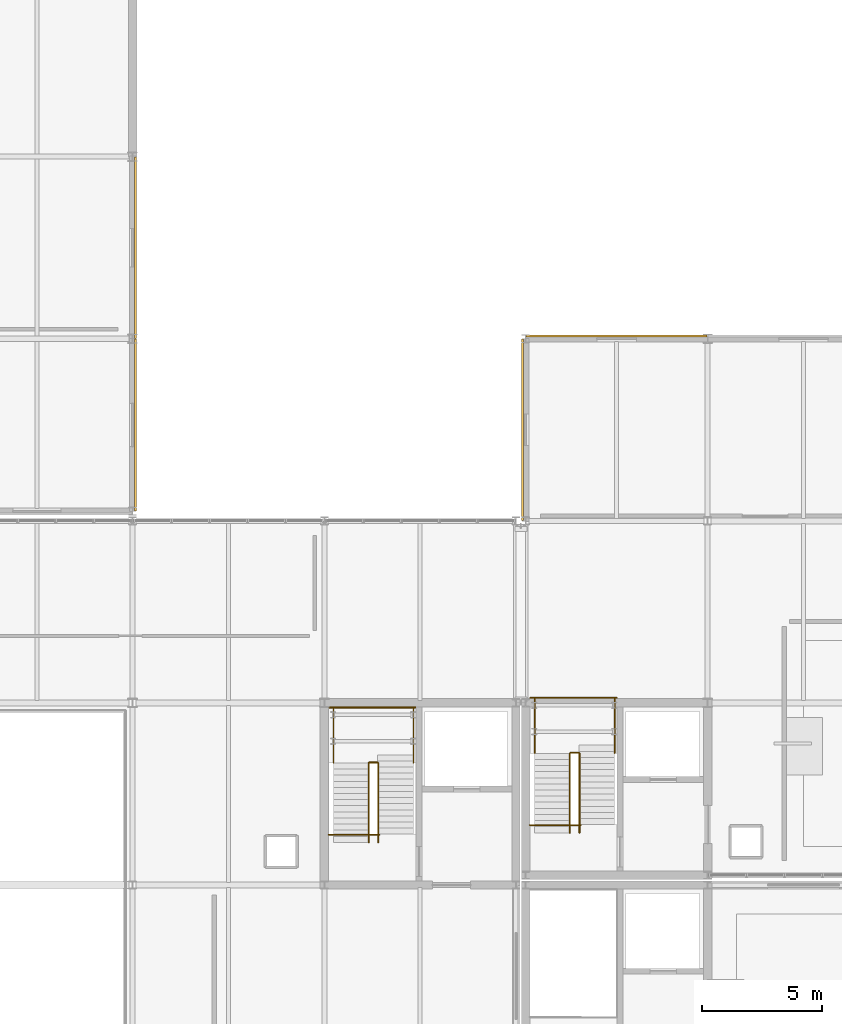
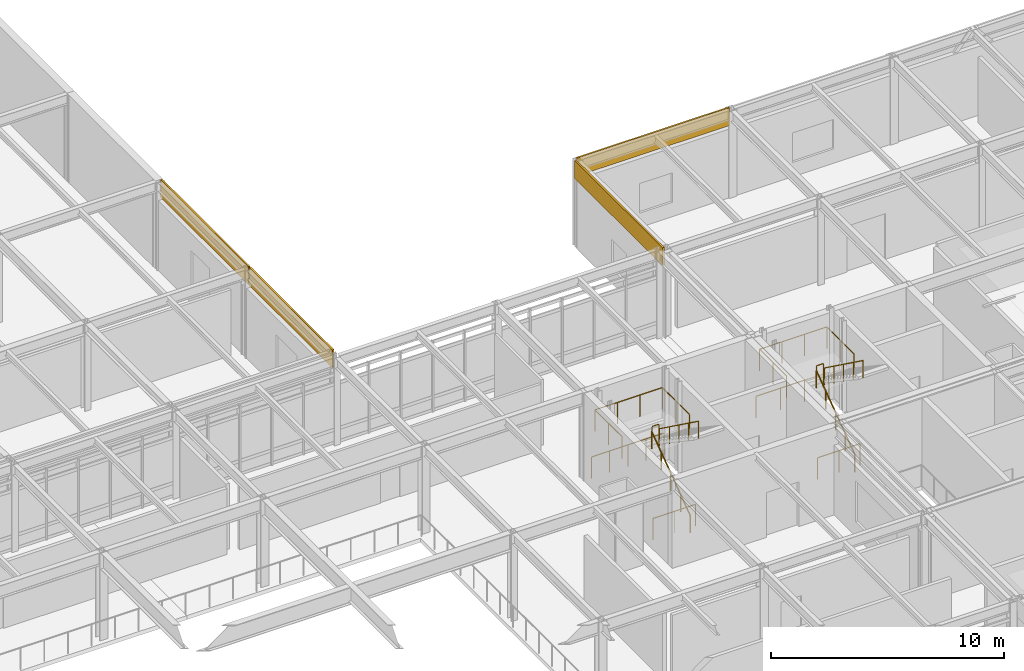
# One storey, part 101 of 104: 12 railings, 4 coverings.
"""IFC4 building model written with IfcOpenShell, lengths in metres."""

from ifc_helpers import new_model, si_unit, direction, frame, origin, origin_2d, place, context, subcontext, project, spatial, rectangle, circle, extrude, material, layer, layer_set, type_object, element, save


model = new_model("IFC4")

# Units and contexts
model_context = context("Model", 3, precision=1e-05, world=origin(), true_north=direction((0.0, 1.0)))
body_context = subcontext(model_context, "Body", "Model", "MODEL_VIEW")
ifc_project = project(units=[si_unit("LENGTHUNIT", "METRE"), si_unit("AREAUNIT", "SQUARE_METRE"), si_unit("VOLUMEUNIT", "CUBIC_METRE"), si_unit("PLANEANGLEUNIT", "RADIAN"), si_unit("MASSUNIT", "GRAM", prefix="KILO")], contexts=[model_context])

# Site, building, storey
site_placement = place(None, origin())
site = spatial("IfcSite", under=ifc_project, at=site_placement, CompositionType="ELEMENT")
building_placement = place(site_placement, origin())
building = spatial("IfcBuilding", under=site, at=building_placement, Name="Zulena Civic Courthouse", CompositionType="ELEMENT")
storey_placement = place(building_placement, frame((0.0, 0.0, 15.60009765625)))
storey = spatial("IfcBuildingStorey", under=building, at=storey_placement, Name="L03", CompositionType="ELEMENT", Elevation=15.60009765625)

# Railings
ifc_material_1 = material(Name="Brushed architectural steel ASTM A36", Category="steel")
railing_type_1 = type_object("IfcRailingType", Name="InteriorGuardrail_1150", PredefinedType="GUARDRAIL", material=ifc_material_1)
railing_1_placement = place(storey_placement, frame((124.60009765625, 38.2099609375, 0.0)))
element("IfcRailing", 1, at=railing_1_placement, inside=storey, type_object=railing_type_1, Name="gr:wellN:K3A:L02", PredefinedType="GUARDRAIL", context=body_context, shape_type="SweptSolid", body=[
    extrude(circle(Radius=0.02392578125, at=origin_2d()), frame((0.00390625, 0.0, 1.1259765625), z_axis=(1.0, 0.0, 0.0), x_axis=(0.0, 1.0, 0.0)), (0.0, 0.0, 1.0), 3.591796875),
    extrude(circle(Radius=0.02099609375, at=origin_2d()), origin(), (0.0, 0.0, 1.0), 1.097900390625),
    extrude(circle(Radius=0.02099609375, at=origin_2d()), frame((1.199951171875, 0.0, 0.0)), (0.0, 0.0, 1.0), 1.097900390625),
    extrude(circle(Radius=0.02099609375, at=origin_2d()), frame((2.39990234375, 0.0, 0.0)), (0.0, 0.0, 1.0), 1.097900390625),
    extrude(circle(Radius=0.02099609375, at=origin_2d()), frame((3.599853515625, 0.0, 0.0)), (0.0, 0.0, 1.0), 1.097900390625),
])
railing_2_placement = place(storey_placement, frame((124.580078125, 32.89990234375, 0.0)))
element("IfcRailing", 2, at=railing_2_placement, inside=storey, type_object=railing_type_1, Name="gr:wells:K3A:L03", PredefinedType="GUARDRAIL", context=body_context, shape_type="SweptSolid", body=[
    extrude(circle(Radius=0.02392578125, at=origin_2d()), frame((0.00390625, 0.0, 1.1259765625), z_axis=(1.0, 0.0, 0.0), x_axis=(0.0, 1.0, 0.0)), (0.0, 0.0, 1.0), 2.11181640625),
    extrude(circle(Radius=0.02099609375, at=origin_2d()), origin(), (0.0, 0.0, 1.0), 1.097900390625),
    extrude(circle(Radius=0.02099609375, at=origin_2d()), frame((1.06005859375, 0.0, 0.0)), (0.0, 0.0, 1.0), 1.097900390625),
    extrude(circle(Radius=0.02099609375, at=origin_2d()), frame((2.119873046875, 0.0, 0.0)), (0.0, 0.0, 1.0), 1.097900390625),
])
railing_3_placement = place(storey_placement, frame((124.780029296875, 35.89453125, 2.39990234375)))
element("IfcRailing", 3, at=railing_3_placement, inside=storey, type_object=railing_type_1, Name="gr:lnd:K3A:L03", PredefinedType="GUARDRAIL", context=body_context, shape_type="SweptSolid", body=[
    extrude(circle(Radius=0.02392578125, at=origin_2d()), frame((0.0, 0.00390625, 1.1259765625), z_axis=(0.0, 1.0, 0.0), x_axis=(-1.0, 0.0, 0.0)), (0.0, 0.0, 1.0), 2.3173828125),
    extrude(circle(Radius=0.02392578125, at=origin_2d()), frame((0.00390625, 2.325439453125, 1.1259765625), z_axis=(1.0, 0.0, 0.0), x_axis=(0.0, 1.0, 0.0)), (0.0, 0.0, 1.0), 3.33203125),
    extrude(circle(Radius=0.02392578125, at=origin_2d()), frame((3.340087890625, 2.321533203125, 1.1259765625), z_axis=(0.0, -1.0, 0.0), x_axis=(1.0, 0.0, 0.0)), (0.0, 0.0, 1.0), 2.3173828125),
    extrude(circle(Radius=0.02099609375, at=origin_2d()), origin(), (0.0, 0.0, 1.0), 1.097900390625),
    extrude(circle(Radius=0.02099609375, at=origin_2d()), frame((0.0, 1.16259765625, 0.0)), (0.0, 0.0, 1.0), 1.097900390625),
    extrude(circle(Radius=0.02099609375, at=origin_2d()), frame((0.0, 2.325439453125, 0.0)), (0.0, 0.0, 1.0), 1.097900390625),
    extrude(circle(Radius=0.02099609375, at=origin_2d()), frame((1.11328125, 2.325439453125, 0.0)), (0.0, 0.0, 1.0), 1.097900390625),
    extrude(circle(Radius=0.02099609375, at=origin_2d()), frame((2.226806640625, 2.325439453125, 0.0)), (0.0, 0.0, 1.0), 1.097900390625),
    extrude(circle(Radius=0.02099609375, at=origin_2d()), frame((3.340087890625, 2.325439453125, 0.0)), (0.0, 0.0, 1.0), 1.097900390625),
    extrude(circle(Radius=0.02099609375, at=origin_2d()), frame((3.340087890625, 1.16259765625, 0.0)), (0.0, 0.0, 1.0), 1.097900390625),
    extrude(circle(Radius=0.02099609375, at=origin_2d()), frame((3.340087890625, 0.0, 0.0)), (0.0, 0.0, 1.0), 1.097900390625),
])
railing_4_placement = place(storey_placement, frame((126.280029296875, 35.9150390625, 2.39990234375)))
element("IfcRailing", 4, at=railing_4_placement, inside=storey, type_object=railing_type_1, Name="gr:lndslot:K3A:L03", PredefinedType="GUARDRAIL", context=body_context, shape_type="SweptSolid", body=[
    extrude(circle(Radius=0.02392578125, at=origin_2d()), frame((0.00390625, 0.0, 1.1259765625), z_axis=(1.0, 0.0, 0.0), x_axis=(0.0, 1.0, 0.0)), (0.0, 0.0, 1.0), 0.33203125),
    extrude(circle(Radius=0.02099609375, at=origin_2d()), origin(), (0.0, 0.0, 1.0), 1.097900390625),
    extrude(circle(Radius=0.02099609375, at=origin_2d()), frame((0.340087890625, 0.0, 0.0)), (0.0, 0.0, 1.0), 1.097900390625),
])
railing_5_placement = place(storey_placement, frame((116.199951171875, 37.81005859375, 0.0)))
element("IfcRailing", 5, at=railing_5_placement, inside=storey, type_object=railing_type_1, Name="gr:wellN:K4B:L02", PredefinedType="GUARDRAIL", context=body_context, shape_type="SweptSolid", body=[
    extrude(circle(Radius=0.02392578125, at=origin_2d()), frame((0.00390625, 0.0, 1.1259765625), z_axis=(1.0, 0.0, 0.0), x_axis=(0.0, 1.0, 0.0)), (0.0, 0.0, 1.0), 3.592041015625),
    extrude(circle(Radius=0.02099609375, at=origin_2d()), origin(), (0.0, 0.0, 1.0), 1.097900390625),
    extrude(circle(Radius=0.02099609375, at=origin_2d()), frame((0.89990234375, 0.0, 0.0)), (0.0, 0.0, 1.0), 1.097900390625),
    extrude(circle(Radius=0.02099609375, at=origin_2d()), frame((1.800048828125, 0.0, 0.0)), (0.0, 0.0, 1.0), 1.097900390625),
    extrude(circle(Radius=0.02099609375, at=origin_2d()), frame((2.7001953125, 0.0, 0.0)), (0.0, 0.0, 1.0), 1.097900390625),
    extrude(circle(Radius=0.02099609375, at=origin_2d()), frame((3.60009765625, 0.0, 0.0)), (0.0, 0.0, 1.0), 1.097900390625),
])
railing_6_placement = place(storey_placement, frame((116.179931640625, 32.5, 0.0)))
element("IfcRailing", 6, at=railing_6_placement, inside=storey, type_object=railing_type_1, Name="gr:wells:K4B:L03", PredefinedType="GUARDRAIL", context=body_context, shape_type="SweptSolid", body=[
    extrude(circle(Radius=0.02392578125, at=origin_2d()), frame((0.00390625, 0.0, 1.1259765625), z_axis=(1.0, 0.0, 0.0), x_axis=(0.0, 1.0, 0.0)), (0.0, 0.0, 1.0), 2.112060546875),
    extrude(circle(Radius=0.02099609375, at=origin_2d()), origin(), (0.0, 0.0, 1.0), 1.097900390625),
    extrude(circle(Radius=0.02099609375, at=origin_2d()), frame((1.06005859375, 0.0, 0.0)), (0.0, 0.0, 1.0), 1.097900390625),
    extrude(circle(Radius=0.02099609375, at=origin_2d()), frame((2.1201171875, 0.0, 0.0)), (0.0, 0.0, 1.0), 1.097900390625),
])
railing_7_placement = place(storey_placement, frame((116.3798828125, 35.49462890625, 2.39990234375)))
element("IfcRailing", 7, at=railing_7_placement, inside=storey, type_object=railing_type_1, Name="gr:lnd:K4B:L03", PredefinedType="GUARDRAIL", context=body_context, shape_type="SweptSolid", body=[
    extrude(circle(Radius=0.02392578125, at=origin_2d()), frame((0.0, 0.00390625, 1.1259765625), z_axis=(0.0, 1.0, 0.0), x_axis=(-1.0, 0.0, 0.0)), (0.0, 0.0, 1.0), 2.3173828125),
    extrude(circle(Radius=0.02392578125, at=origin_2d()), frame((0.00390625, 2.325439453125, 1.1259765625), z_axis=(1.0, 0.0, 0.0), x_axis=(0.0, 1.0, 0.0)), (0.0, 0.0, 1.0), 3.33203125),
    extrude(circle(Radius=0.02392578125, at=origin_2d()), frame((3.340087890625, 2.321533203125, 1.1259765625), z_axis=(0.0, -1.0, 0.0), x_axis=(1.0, 0.0, 0.0)), (0.0, 0.0, 1.0), 2.3173828125),
    extrude(circle(Radius=0.02099609375, at=origin_2d()), origin(), (0.0, 0.0, 1.0), 1.097900390625),
    extrude(circle(Radius=0.02099609375, at=origin_2d()), frame((0.0, 1.16259765625, 0.0)), (0.0, 0.0, 1.0), 1.097900390625),
    extrude(circle(Radius=0.02099609375, at=origin_2d()), frame((0.0, 2.325439453125, 0.0)), (0.0, 0.0, 1.0), 1.097900390625),
    extrude(circle(Radius=0.02099609375, at=origin_2d()), frame((1.11328125, 2.325439453125, 0.0)), (0.0, 0.0, 1.0), 1.097900390625),
    extrude(circle(Radius=0.02099609375, at=origin_2d()), frame((2.226806640625, 2.325439453125, 0.0)), (0.0, 0.0, 1.0), 1.097900390625),
    extrude(circle(Radius=0.02099609375, at=origin_2d()), frame((3.340087890625, 2.325439453125, 0.0)), (0.0, 0.0, 1.0), 1.097900390625),
    extrude(circle(Radius=0.02099609375, at=origin_2d()), frame((3.340087890625, 1.16259765625, 0.0)), (0.0, 0.0, 1.0), 1.097900390625),
    extrude(circle(Radius=0.02099609375, at=origin_2d()), frame((3.340087890625, 0.0, 0.0)), (0.0, 0.0, 1.0), 1.097900390625),
])
railing_8_placement = place(storey_placement, frame((117.8798828125, 35.514892578125, 2.39990234375)))
element("IfcRailing", 8, at=railing_8_placement, inside=storey, type_object=railing_type_1, Name="gr:lndslot:K4B:L03", PredefinedType="GUARDRAIL", context=body_context, shape_type="SweptSolid", body=[
    extrude(circle(Radius=0.02392578125, at=origin_2d()), frame((0.00390625, 0.0, 1.1259765625), z_axis=(1.0, 0.0, 0.0), x_axis=(0.0, 1.0, 0.0)), (0.0, 0.0, 1.0), 0.33203125),
    extrude(circle(Radius=0.02099609375, at=origin_2d()), origin(), (0.0, 0.0, 1.0), 1.097900390625),
    extrude(circle(Radius=0.02099609375, at=origin_2d()), frame((0.340087890625, 0.0, 0.0)), (0.0, 0.0, 1.0), 1.097900390625),
])

# Coverings
ifc_material_2 = material(Name="White architectural precast concrete C40/50", Category="concrete")
ifc_layer = layer(ifc_material_2, 0.0849609375)
ifc_layer_set = layer_set([ifc_layer], Name="White architectural precast concrete C40/50")
covering_type = type_object("IfcCoveringType", Name="PrecastSpandrelCladding_85", PredefinedType="CLADDING", material=ifc_layer_set)
for number, where, z_axis, x_axis, name in (
    (9, (124.280029296875, 49.39990234375, 3.60498046875), (0.0, 0.0, 1.0), (0.0, 1.0, 0.0), "clad:sp:V3:L03:0:2"),
    (10, (128.199951171875, 53.320068359375, 3.60498046875), (0.0, 0.0, 1.0), (1.0, 0.0, 0.0), "clad:sp:V3:L03:1:0"),
    (11, (108.1201171875, 57.0, 3.659912109375), (0.0, 0.0, 1.0), (0.0, -1.0, 0.0), "clad:sp:V5:L03:4:4"),
):
    element("IfcCovering", number, at=place(storey_placement, frame(where, z_axis=z_axis, x_axis=x_axis)), inside=storey, type_object=covering_type, Name=name, PredefinedType="CLADDING", context=body_context, shape_type="SweptSolid", body=[
        extrude(rectangle(XDim=7.56005859375, YDim=0.0849609375, at=origin_2d()), origin(), (0.0, 0.0, 1.0), 0.93994140625),
    ])
covering_placement = place(storey_placement, frame((108.1201171875, 49.60009765625, 3.659912109375), z_axis=(0.0, 0.0, 1.0), x_axis=(0.0, -1.0, 0.0)))
element("IfcCovering", 12, at=covering_placement, inside=storey, type_object=covering_type, Name="clad:sp:V5:L03:4:5", PredefinedType="CLADDING", context=body_context, shape_type="SweptSolid", body=[
    extrude(rectangle(XDim=7.159912109375, YDim=0.0849609375, at=origin_2d()), origin(), (0.0, 0.0, 1.0), 0.93994140625),
])

# Railings
railing_type_2 = type_object("IfcRailingType", Name="StairHandrail_920", PredefinedType="HANDRAIL", material=ifc_material_1)
railing_9_placement = place(storey_placement, frame((126.25, 32.580078125, 0.0)))
element("IfcRailing", 13, at=railing_9_placement, inside=storey, type_object=railing_type_2, Name="hr:K3A:L03:1", PredefinedType="HANDRAIL", context=body_context, shape_type="SweptSolid", body=[
    extrude(circle(Radius=0.02392578125, at=origin_2d()), frame((0.0, 0.003173828125, 0.898193359375), z_axis=(0.0, 0.809967530533, 0.586474721946), x_axis=(-1.0, 0.0, 0.0)), (0.0, 0.0, 1.0), 4.083984375),
    extrude(circle(Radius=0.02099609375, at=origin_2d()), origin(), (0.0, 0.0, 1.0), 0.867919921875),
    extrude(circle(Radius=0.02099609375, at=origin_2d()), frame((0.0, 0.82861328125, 0.60009765625)), (0.0, 0.0, 1.0), 0.867919921875),
    extrude(circle(Radius=0.02099609375, at=origin_2d()), frame((0.0, 1.6572265625, 1.199951171875)), (0.0, 0.0, 1.0), 0.867919921875),
    extrude(circle(Radius=0.02099609375, at=origin_2d()), frame((0.0, 2.48583984375, 1.7998046875)), (0.0, 0.0, 1.0), 0.867919921875),
    extrude(circle(Radius=0.02099609375, at=origin_2d()), frame((0.0, 3.314453125, 2.39990234375)), (0.0, 0.0, 1.0), 0.867919921875),
])
railing_10_placement = place(storey_placement, frame((126.64990234375, 35.89453125, 2.39990234375)))
element("IfcRailing", 14, at=railing_10_placement, inside=storey, type_object=railing_type_2, Name="hr:K3A:L03:2", PredefinedType="HANDRAIL", context=body_context, shape_type="SweptSolid", body=[
    extrude(circle(Radius=0.02392578125, at=origin_2d()), frame((0.0, -0.003173828125, 0.898193359375), z_axis=(0.0, -0.809967530533, 0.586474721946), x_axis=(1.0, 0.0, 0.0)), (0.0, 0.0, 1.0), 4.083984375),
    extrude(circle(Radius=0.02099609375, at=origin_2d()), origin(), (0.0, 0.0, 1.0), 0.867919921875),
    extrude(circle(Radius=0.02099609375, at=origin_2d()), frame((0.0, -0.82861328125, 0.60009765625)), (0.0, 0.0, 1.0), 0.867919921875),
    extrude(circle(Radius=0.02099609375, at=origin_2d()), frame((0.0, -1.6572265625, 1.199951171875)), (0.0, 0.0, 1.0), 0.867919921875),
    extrude(circle(Radius=0.02099609375, at=origin_2d()), frame((0.0, -2.48583984375, 1.7998046875)), (0.0, 0.0, 1.0), 0.867919921875),
    extrude(circle(Radius=0.02099609375, at=origin_2d()), frame((0.0, -3.314453125, 2.39990234375)), (0.0, 0.0, 1.0), 0.867919921875),
])
railing_11_placement = place(storey_placement, frame((117.85009765625, 32.179931640625, 0.0)))
element("IfcRailing", 15, at=railing_11_placement, inside=storey, type_object=railing_type_2, Name="hr:K4B:L03:1", PredefinedType="HANDRAIL", context=body_context, shape_type="SweptSolid", body=[
    extrude(circle(Radius=0.02392578125, at=origin_2d()), frame((0.0, 0.003173828125, 0.898193359375), z_axis=(0.0, 0.80998804985, 0.586446382119), x_axis=(-1.0, 0.0, 0.0)), (0.0, 0.0, 1.0), 4.084228515625),
    extrude(circle(Radius=0.02099609375, at=origin_2d()), origin(), (0.0, 0.0, 1.0), 0.867919921875),
    extrude(circle(Radius=0.02099609375, at=origin_2d()), frame((0.0, 0.82861328125, 0.60009765625)), (0.0, 0.0, 1.0), 0.867919921875),
    extrude(circle(Radius=0.02099609375, at=origin_2d()), frame((0.0, 1.6572265625, 1.199951171875)), (0.0, 0.0, 1.0), 0.867919921875),
    extrude(circle(Radius=0.02099609375, at=origin_2d()), frame((0.0, 2.486083984375, 1.7998046875)), (0.0, 0.0, 1.0), 0.867919921875),
    extrude(circle(Radius=0.02099609375, at=origin_2d()), frame((0.0, 3.314697265625, 2.39990234375)), (0.0, 0.0, 1.0), 0.867919921875),
])
railing_12_placement = place(storey_placement, frame((118.25, 35.49462890625, 2.39990234375)))
element("IfcRailing", 16, at=railing_12_placement, inside=storey, type_object=railing_type_2, Name="hr:K4B:L03:2", PredefinedType="HANDRAIL", context=body_context, shape_type="SweptSolid", body=[
    extrude(circle(Radius=0.02392578125, at=origin_2d()), frame((0.0, -0.003173828125, 0.898193359375), z_axis=(0.0, -0.80998804985, 0.586446382119), x_axis=(1.0, 0.0, 0.0)), (0.0, 0.0, 1.0), 4.084228515625),
    extrude(circle(Radius=0.02099609375, at=origin_2d()), origin(), (0.0, 0.0, 1.0), 0.867919921875),
    extrude(circle(Radius=0.02099609375, at=origin_2d()), frame((0.0, -0.82861328125, 0.60009765625)), (0.0, 0.0, 1.0), 0.867919921875),
    extrude(circle(Radius=0.02099609375, at=origin_2d()), frame((0.0, -1.6572265625, 1.199951171875)), (0.0, 0.0, 1.0), 0.867919921875),
    extrude(circle(Radius=0.02099609375, at=origin_2d()), frame((0.0, -2.486083984375, 1.7998046875)), (0.0, 0.0, 1.0), 0.867919921875),
    extrude(circle(Radius=0.02099609375, at=origin_2d()), frame((0.0, -3.314697265625, 2.39990234375)), (0.0, 0.0, 1.0), 0.867919921875),
])

save(model, "model.ifc")
